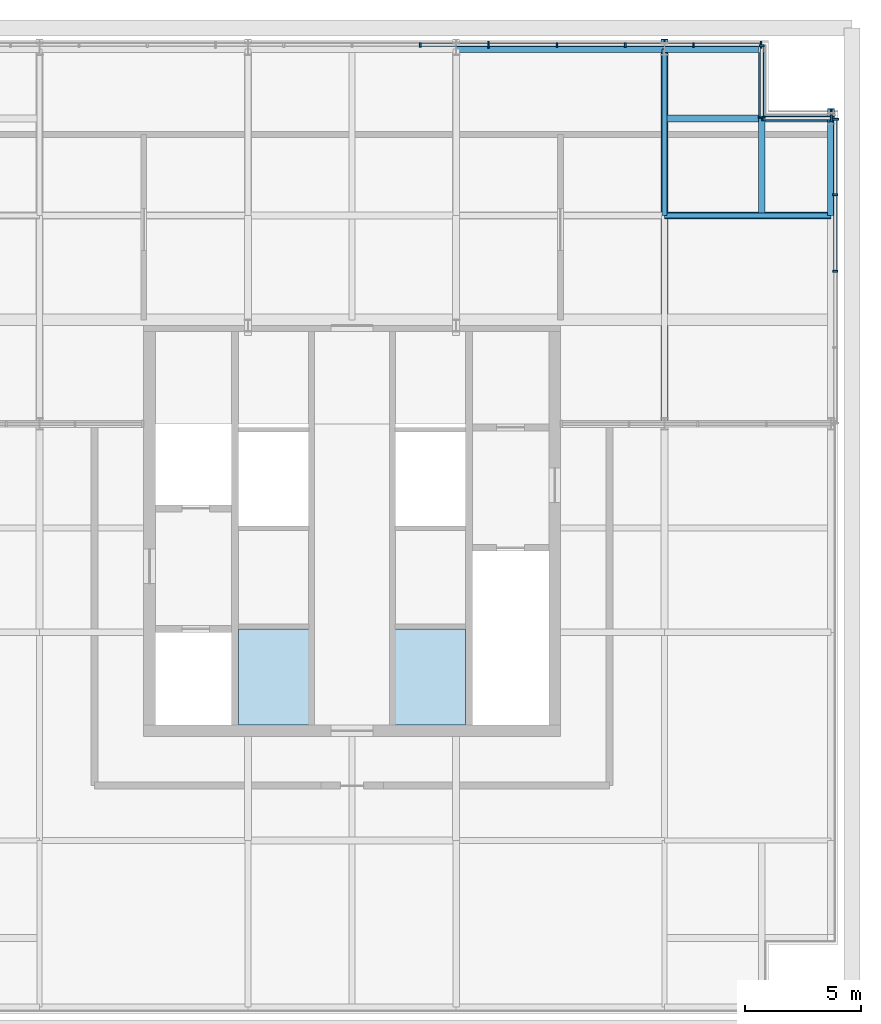
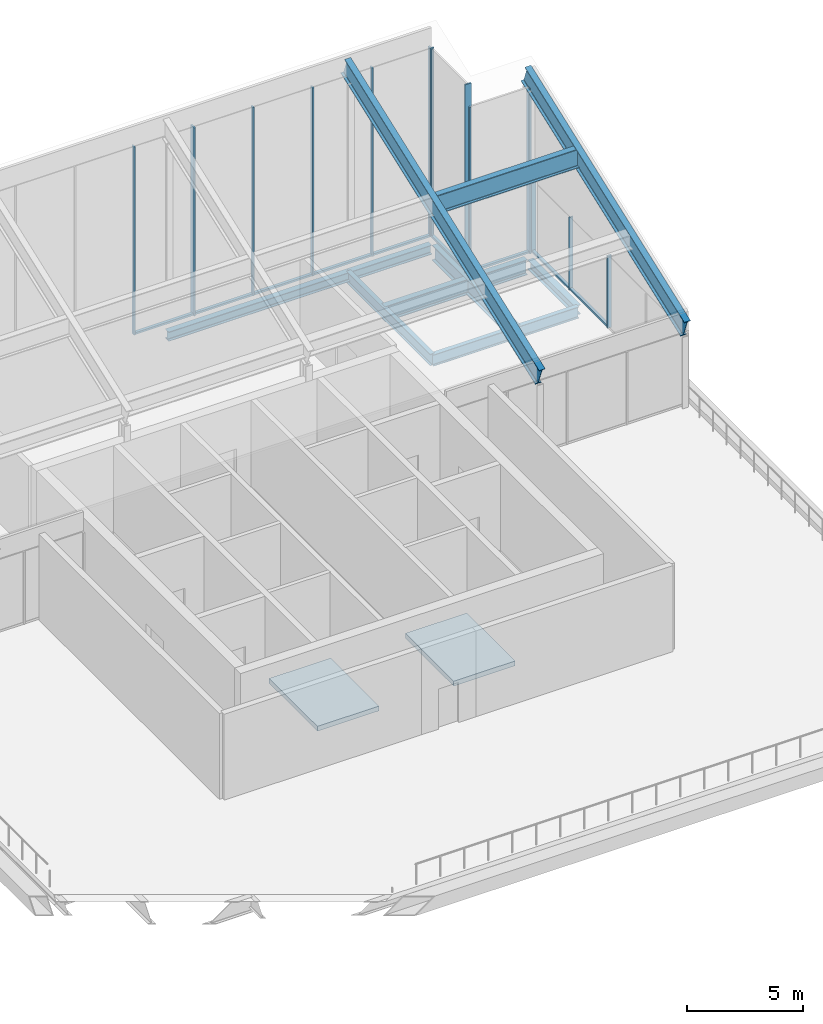
# One storey, part 7 of 10: 25 members, 7 beams, 2 slabs, 4 elements without a shape of their own.
"""IFC4 building model written with IfcOpenShell, lengths in metres."""

from ifc_helpers import new_model, si_unit, direction, frame, origin, origin_2d, place, context, subcontext, project, spatial, polyline, rectangle, i_section, outline, extrude, material, layer, layer_set, material_profile, profile_set, type_object, element, aggregate, save


model = new_model("IFC4")

# Units and contexts
model_context = context("Model", 3, precision=1e-05, world=origin(), true_north=direction((0.0, 1.0)))
body_context = subcontext(model_context, "Body", "Model", "MODEL_VIEW")
ifc_project = project(units=[si_unit("LENGTHUNIT", "METRE"), si_unit("AREAUNIT", "SQUARE_METRE"), si_unit("VOLUMEUNIT", "CUBIC_METRE"), si_unit("PLANEANGLEUNIT", "RADIAN"), si_unit("MASSUNIT", "GRAM", prefix="KILO")], contexts=[model_context])

# Site, building, storey
site_placement = place(None, origin())
site = spatial("IfcSite", under=ifc_project, at=site_placement, CompositionType="ELEMENT")
building_placement = place(site_placement, origin())
building = spatial("IfcBuilding", under=site, at=building_placement, Name="Malebo Sky Hospital", CompositionType="ELEMENT")
storey_placement = place(building_placement, frame((0.0, 0.0, 290.0)))
storey = spatial("IfcBuildingStorey", under=building, at=storey_placement, Name="RF", CompositionType="ELEMENT", Elevation=290.0)

# Curtain wall, members
ifc_material_1 = material(Name="Anodised aluminium, natural silver", Category="aluminium")
ifc_layer_1 = layer(ifc_material_1, 0.25)
ifc_layer_set_1 = layer_set([ifc_layer_1], Name="PENTHOUSE LOUVRE SCREEN")
curtain_wall_type = type_object("IfcCurtainWallType", Name="PENTHOUSE LOUVRE SCREEN", PredefinedType="NOTDEFINED", material=ifc_layer_set_1)
curtain_wall_1_placement = place(storey_placement, origin())
curtain_wall_1 = element("IfcCurtainWall", 1, at=curtain_wall_1_placement, inside=storey, type_object=curtain_wall_type, Name="ROOF curtain wall N", PredefinedType="NOTDEFINED")
ifc_material_profile_1 = material_profile(ifc_material_1, rectangle(XDim=0.14990234375, YDim=0.10009765625, at=origin_2d()), Name="ALUMINIUM TRANSOM 150x100")
ifc_profile_set_1 = profile_set([ifc_material_profile_1], Name="Anodised aluminium, natural silver")
member_type_1 = type_object("IfcMemberType", Name="ALUMINIUM TRANSOM 150x100", PredefinedType="USERDEFINED", material=ifc_profile_set_1)
member_1_placement = place(storey_placement, frame((77.625, 82.875, 0.050048828125), z_axis=(-1.0, 0.0, 0.0), x_axis=(0.0, -1.0, 0.0)))
member_1 = element("IfcMember", 2, at=member_1_placement, type_object=member_type_1, Name="Transom 1", ObjectType="TRANSOM", PredefinedType="USERDEFINED", context=body_context, shape_type="SweptSolid", body=[
    extrude(rectangle(XDim=0.14990234375, YDim=0.10009765625, at=origin_2d()), origin(), (0.0, 0.0, 1.0), 2.83740234375),
])
member_2_placement = place(storey_placement, frame((74.71240234375, 82.875, 0.050048828125), z_axis=(-1.0, 0.0, 0.0), x_axis=(0.0, -1.0, 0.0)))
member_2 = element("IfcMember", 3, at=member_2_placement, type_object=member_type_1, Name="Transom 2", ObjectType="TRANSOM", PredefinedType="USERDEFINED", context=body_context, shape_type="SweptSolid", body=[
    extrude(rectangle(XDim=0.14990234375, YDim=0.10009765625, at=origin_2d()), origin(), (0.0, 0.0, 1.0), 2.875),
])
member_3_placement = place(storey_placement, frame((71.762451171875, 82.875, 0.050048828125), z_axis=(-1.0, 0.0, 0.0), x_axis=(0.0, -1.0, 0.0)))
member_3 = element("IfcMember", 4, at=member_3_placement, type_object=member_type_1, Name="Transom 3", ObjectType="TRANSOM", PredefinedType="USERDEFINED", context=body_context, shape_type="SweptSolid", body=[
    extrude(rectangle(XDim=0.14990234375, YDim=0.10009765625, at=origin_2d()), origin(), (0.0, 0.0, 1.0), 2.875),
])
member_4_placement = place(storey_placement, frame((68.8125, 82.875, 0.050048828125), z_axis=(-1.0, 0.0, 0.0), x_axis=(0.0, -1.0, 0.0)))
member_4 = element("IfcMember", 5, at=member_4_placement, type_object=member_type_1, Name="Transom 4", ObjectType="TRANSOM", PredefinedType="USERDEFINED", context=body_context, shape_type="SweptSolid", body=[
    extrude(rectangle(XDim=0.14990234375, YDim=0.10009765625, at=origin_2d()), origin(), (0.0, 0.0, 1.0), 2.875),
])
member_5_placement = place(storey_placement, frame((65.862548828125, 82.875, 0.050048828125), z_axis=(-1.0, 0.0, 0.0), x_axis=(0.0, -1.0, 0.0)))
member_5 = element("IfcMember", 6, at=member_5_placement, type_object=member_type_1, Name="Transom 5", ObjectType="TRANSOM", PredefinedType="USERDEFINED", context=body_context, shape_type="SweptSolid", body=[
    extrude(rectangle(XDim=0.14990234375, YDim=0.10009765625, at=origin_2d()), origin(), (0.0, 0.0, 1.0), 2.875),
])

curtain_wall_2_placement = place(storey_placement, origin())
curtain_wall_2 = element("IfcCurtainWall", 7, at=curtain_wall_2_placement, inside=storey, type_object=curtain_wall_type, Name="ROOF curtain wall E", PredefinedType="NOTDEFINED")
member_6_placement = place(storey_placement, frame((80.875, 73.137451171875, 0.050048828125), z_axis=(0.0, 1.0, 0.0), x_axis=(-1.0, 0.0, 0.0)))
member_6 = element("IfcMember", 8, at=member_6_placement, type_object=member_type_1, Name="Transom 3", ObjectType="TRANSOM", PredefinedType="USERDEFINED", context=body_context, shape_type="SweptSolid", body=[
    extrude(rectangle(XDim=0.14990234375, YDim=0.10009765625, at=origin_2d()), origin(), (0.0, 0.0, 1.0), 3.22509765625),
])
member_7_placement = place(storey_placement, frame((80.875, 76.4375, 0.050048828125), z_axis=(0.0, 1.0, 0.0), x_axis=(-1.0, 0.0, 0.0)))
member_7 = element("IfcMember", 9, at=member_7_placement, type_object=member_type_1, Name="Transom 4", ObjectType="TRANSOM", PredefinedType="USERDEFINED", context=body_context, shape_type="SweptSolid", body=[
    extrude(rectangle(XDim=0.14990234375, YDim=0.10009765625, at=origin_2d()), origin(), (0.0, 0.0, 1.0), 3.1875),
])

# Curtain wall, member
curtain_wall_3_placement = place(storey_placement, origin())
curtain_wall_3 = element("IfcCurtainWall", 10, at=curtain_wall_3_placement, inside=storey, type_object=curtain_wall_type, Name="ROOF curtain wall NE1", PredefinedType="NOTDEFINED")
member_8_placement = place(storey_placement, frame((80.6630859375, 79.699951171875, 0.050048828125), z_axis=(-1.0, 0.0, 0.0), x_axis=(0.0, -1.0, 0.0)))
member_8 = element("IfcMember", 11, at=member_8_placement, type_object=member_type_1, Name="Transom 1", ObjectType="TRANSOM", PredefinedType="USERDEFINED", context=body_context, shape_type="SweptSolid", body=[
    extrude(rectangle(XDim=0.14990234375, YDim=0.10009765625, at=origin_2d()), origin(), (0.0, 0.0, 1.0), 2.88818359375),
])

curtain_wall_4_placement = place(storey_placement, origin())
curtain_wall_4 = element("IfcCurtainWall", 12, at=curtain_wall_4_placement, inside=storey, type_object=curtain_wall_type, Name="ROOF curtain wall NE2", PredefinedType="NOTDEFINED")
member_9_placement = place(storey_placement, frame((77.699951171875, 79.77490234375, 0.050048828125), z_axis=(0.0, 1.0, 0.0), x_axis=(-1.0, 0.0, 0.0)))
member_9 = element("IfcMember", 13, at=member_9_placement, type_object=member_type_1, Name="Transom 1", ObjectType="TRANSOM", PredefinedType="USERDEFINED", context=body_context, shape_type="SweptSolid", body=[
    extrude(rectangle(XDim=0.14990234375, YDim=0.10009765625, at=origin_2d()), origin(), (0.0, 0.0, 1.0), 3.025146484375),
])

# Members
ifc_material_2 = material(Name="Steel S355", Category="steel")
ifc_material_profile_2 = material_profile(ifc_material_2, i_section(OverallWidth=0.300048828125, OverallDepth=1.0, WebThickness=0.01904296875, FlangeThickness=0.035888671875, FilletRadius=0.030029296875, at=origin_2d()), Name="HEB 1000")
ifc_profile_set_2 = profile_set([ifc_material_profile_2], Name="Steel S355")
member_type_2 = type_object("IfcMemberType", Name="CROWN PURLIN HEB 1000", PredefinedType="PURLIN", material=ifc_profile_set_2)
member_10_placement = place(storey_placement, frame((73.5, 75.5, 7.564453125), z_axis=(1.0, 0.0, 0.0), x_axis=(0.0, 1.0, 0.0)))
element("IfcMember", 14, at=member_10_placement, inside=storey, type_object=member_type_2, Name="Crown purlin +13.5", PredefinedType="PURLIN", context=body_context, shape_type="SweptSolid", body=[
    extrude(i_section(OverallWidth=0.300048828125, OverallDepth=1.0, WebThickness=0.01904296875, FlangeThickness=0.035888671875, FilletRadius=0.030029296875, at=origin_2d()), origin(), (0.0, 0.0, 1.0), 7.199951171875),
])
ifc_material_profile_3 = material_profile(ifc_material_2, i_section(OverallWidth=0.300048828125, OverallDepth=1.0, WebThickness=0.01904296875, FlangeThickness=0.035888671875, FilletRadius=0.030029296875, at=origin_2d()), Name="HEB 1000")
ifc_profile_set_3 = profile_set([ifc_material_profile_3], Name="Steel S355")
member_type_3 = type_object("IfcMemberType", Name="CROWN RAFTER HEB 1000", PredefinedType="RAFTER", material=ifc_profile_set_3)
member_11_placement = place(storey_placement, frame((80.699951171875, 66.25, 4.160888671875), z_axis=(0.0, 0.9377451322, 0.34732415268), x_axis=(-1.0, 0.0, 0.0)))
element("IfcMember", 15, at=member_11_placement, inside=storey, type_object=member_type_3, Name="Crown rafter +20.7", PredefinedType="RAFTER", context=body_context, shape_type="SweptSolid", body=[
    extrude(i_section(OverallWidth=0.300048828125, OverallDepth=1.0, WebThickness=0.01904296875, FlangeThickness=0.035888671875, FilletRadius=0.030029296875, at=origin_2d()), origin(), (0.0, 0.0, 1.0), 14.609375),
])
member_12_placement = place(storey_placement, frame((73.5, 66.25, 4.160888671875), z_axis=(0.0, 0.937746280156, 0.347321053283), x_axis=(-1.0, 0.0, 0.0)))
element("IfcMember", 16, at=member_12_placement, inside=storey, type_object=member_type_3, Name="Crown rafter +13.5", PredefinedType="RAFTER", context=body_context, shape_type="SweptSolid", body=[
    extrude(i_section(OverallWidth=0.300048828125, OverallDepth=1.0, WebThickness=0.01904296875, FlangeThickness=0.035888671875, FilletRadius=0.030029296875, at=origin_2d()), origin(), (0.0, 0.0, 1.0), 17.80859375),
])

# Member
ifc_material_profile_4 = material_profile(ifc_material_1, rectangle(XDim=0.074951171875, YDim=0.199951171875, at=origin_2d()), Name="CW6 ALUMINIUM FIN MULLION 75x200")
ifc_profile_set_4 = profile_set([ifc_material_profile_4], Name="Anodised aluminium, natural silver")
member_type_4 = type_object("IfcMemberType", Name="CW6 ALUMINIUM FIN MULLION 75x200", PredefinedType="MULLION", material=ifc_profile_set_4)
member_13_placement = place(storey_placement, frame((74.75, 82.875, 0.0), z_axis=(0.0, 0.0, 1.0), x_axis=(-1.0, 0.0, 0.0)))
member_13 = element("IfcMember", 17, at=member_13_placement, type_object=member_type_4, Name="Fin mullion 2", PredefinedType="MULLION", context=body_context, shape_type="SweptSolid", body=[
    extrude(rectangle(XDim=0.074951171875, YDim=0.199951171875, at=origin_2d()), origin(), (0.0, 0.0, 1.0), 9.86474609375),
])

member_14_placement = place(storey_placement, frame((71.800048828125, 82.875, 0.0), z_axis=(0.0, 0.0, 1.0), x_axis=(-1.0, 0.0, 0.0)))
member_14 = element("IfcMember", 18, at=member_14_placement, type_object=member_type_4, Name="Fin mullion 3", PredefinedType="MULLION", context=body_context, shape_type="SweptSolid", body=[
    extrude(rectangle(XDim=0.074951171875, YDim=0.199951171875, at=origin_2d()), origin(), (0.0, 0.0, 1.0), 9.86474609375),
])

member_15_placement = place(storey_placement, frame((68.85009765625, 82.875, 0.0), z_axis=(0.0, 0.0, 1.0), x_axis=(-1.0, 0.0, 0.0)))
member_15 = element("IfcMember", 19, at=member_15_placement, type_object=member_type_4, Name="Fin mullion 4", PredefinedType="MULLION", context=body_context, shape_type="SweptSolid", body=[
    extrude(rectangle(XDim=0.074951171875, YDim=0.199951171875, at=origin_2d()), origin(), (0.0, 0.0, 1.0), 9.86474609375),
])

member_16_placement = place(storey_placement, frame((62.949951171875, 82.875, 0.0), z_axis=(0.0, 0.0, 1.0), x_axis=(-1.0, 0.0, 0.0)))
member_16 = element("IfcMember", 20, at=member_16_placement, type_object=member_type_4, Name="Fin mullion 6", PredefinedType="MULLION", context=body_context, shape_type="SweptSolid", body=[
    extrude(rectangle(XDim=0.074951171875, YDim=0.199951171875, at=origin_2d()), origin(), (0.0, 0.0, 1.0), 9.86474609375),
])

member_17_placement = place(storey_placement, frame((80.875, 73.10009765625, 0.0), z_axis=(0.0, 0.0, 1.0), x_axis=(0.0, 1.0, 0.0)))
member_17 = element("IfcMember", 21, at=member_17_placement, type_object=member_type_4, Name="Fin mullion 3", PredefinedType="MULLION", context=body_context, shape_type="SweptSolid", body=[
    extrude(rectangle(XDim=0.074951171875, YDim=0.199951171875, at=origin_2d()), origin(), (0.0, 0.0, 1.0), 3.800048828125),
])

member_18_placement = place(storey_placement, frame((80.875, 76.39990234375, 0.0), z_axis=(0.0, 0.0, 1.0), x_axis=(0.0, 1.0, 0.0)))
member_18 = element("IfcMember", 22, at=member_18_placement, type_object=member_type_4, Name="Fin mullion 4", PredefinedType="MULLION", context=body_context, shape_type="SweptSolid", body=[
    extrude(rectangle(XDim=0.074951171875, YDim=0.199951171875, at=origin_2d()), origin(), (0.0, 0.0, 1.0), 3.800048828125),
])

member_19_placement = place(storey_placement, frame((77.737548828125, 79.699951171875, 0.0), z_axis=(0.0, 0.0, 1.0), x_axis=(-1.0, 0.0, 0.0)))
member_19 = element("IfcMember", 23, at=member_19_placement, type_object=member_type_4, Name="Fin mullion 2", PredefinedType="MULLION", context=body_context, shape_type="SweptSolid", body=[
    extrude(rectangle(XDim=0.074951171875, YDim=0.199951171875, at=origin_2d()), origin(), (0.0, 0.0, 1.0), 8.68896484375),
])

member_20_placement = place(storey_placement, frame((77.699951171875, 82.83740234375, 0.0), z_axis=(0.0, 0.0, 1.0), x_axis=(0.0, 1.0, 0.0)))
member_20 = element("IfcMember", 24, at=member_20_placement, type_object=member_type_4, Name="Fin mullion 2", PredefinedType="MULLION", context=body_context, shape_type="SweptSolid", body=[
    extrude(rectangle(XDim=0.074951171875, YDim=0.199951171875, at=origin_2d()), origin(), (0.0, 0.0, 1.0), 9.86474609375),
])

ifc_material_profile_5 = material_profile(ifc_material_1, rectangle(XDim=0.074951171875, YDim=0.300048828125, at=origin_2d()), Name="CW6 ALUMINIUM FIN MULLION 75x300")
ifc_profile_set_5 = profile_set([ifc_material_profile_5], Name="Anodised aluminium, natural silver")
member_type_5 = type_object("IfcMemberType", Name="CW6 ALUMINIUM FIN MULLION 75x300", PredefinedType="MULLION", material=ifc_profile_set_5)
member_21_placement = place(storey_placement, frame((77.66259765625, 82.875, 0.0), z_axis=(0.0, 0.0, 1.0), x_axis=(-1.0, 0.0, 0.0)))
member_21 = element("IfcMember", 25, at=member_21_placement, type_object=member_type_5, Name="Fin mullion 1", PredefinedType="MULLION", context=body_context, shape_type="SweptSolid", body=[
    extrude(rectangle(XDim=0.074951171875, YDim=0.300048828125, at=origin_2d()), origin(), (0.0, 0.0, 1.0), 9.86474609375),
])

member_22_placement = place(storey_placement, frame((65.89990234375, 82.875, 0.0), z_axis=(0.0, 0.0, 1.0), x_axis=(-1.0, 0.0, 0.0)))
member_22 = element("IfcMember", 26, at=member_22_placement, type_object=member_type_5, Name="Fin mullion 5", PredefinedType="MULLION", context=body_context, shape_type="SweptSolid", body=[
    extrude(rectangle(XDim=0.074951171875, YDim=0.300048828125, at=origin_2d()), origin(), (0.0, 0.0, 1.0), 9.86474609375),
])

aggregate(curtain_wall_1, [member_21, member_13, member_14, member_15, member_22, member_16, member_1, member_2, member_3, member_4, member_5])

member_23_placement = place(storey_placement, frame((80.875, 79.66259765625, 0.0), z_axis=(0.0, 0.0, 1.0), x_axis=(0.0, 1.0, 0.0)))
member_23 = element("IfcMember", 27, at=member_23_placement, type_object=member_type_5, Name="Fin mullion 5", PredefinedType="MULLION", context=body_context, shape_type="SweptSolid", body=[
    extrude(rectangle(XDim=0.074951171875, YDim=0.300048828125, at=origin_2d()), origin(), (0.0, 0.0, 1.0), 3.800048828125),
])

aggregate(curtain_wall_2, [member_17, member_18, member_23, member_6, member_7])

member_24_placement = place(storey_placement, frame((80.700439453125, 79.699951171875, 0.0), z_axis=(0.0, 0.0, 1.0), x_axis=(-1.0, 0.0, 0.0)))
member_24 = element("IfcMember", 28, at=member_24_placement, type_object=member_type_5, Name="Fin mullion 1", PredefinedType="MULLION", context=body_context, shape_type="SweptSolid", body=[
    extrude(rectangle(XDim=0.074951171875, YDim=0.300048828125, at=origin_2d()), origin(), (0.0, 0.0, 1.0), 8.68896484375),
])

aggregate(curtain_wall_3, [member_24, member_19, member_8])

member_25_placement = place(storey_placement, frame((77.699951171875, 79.737548828125, 0.0), z_axis=(0.0, 0.0, 1.0), x_axis=(0.0, 1.0, 0.0)))
member_25 = element("IfcMember", 29, at=member_25_placement, type_object=member_type_5, Name="Fin mullion 1", PredefinedType="MULLION", context=body_context, shape_type="SweptSolid", body=[
    extrude(rectangle(XDim=0.074951171875, YDim=0.300048828125, at=origin_2d()), origin(), (0.0, 0.0, 1.0), 9.86474609375),
])

aggregate(curtain_wall_4, [member_25, member_20, member_9])

# Beams
ifc_material_profile_6 = material_profile(ifc_material_2, i_section(OverallWidth=0.300048828125, OverallDepth=0.489990234375, WebThickness=0.011962890625, FlangeThickness=0.02294921875, FilletRadius=0.027099609375, at=origin_2d()), Name="HEA 500")
ifc_profile_set_6 = profile_set([ifc_material_profile_6], Name="Steel S355")
beam_type_1 = type_object("IfcBeamType", Name="EDGE BEAM HEA 500", PredefinedType="BEAM", material=ifc_profile_set_6)
beam_1_placement = place(storey_placement, frame((80.699951171875, 75.5, -0.4951171875), z_axis=(0.0, 1.0, 0.0), x_axis=(-1.0, 0.0, 0.0)))
element("IfcBeam", 30, at=beam_1_placement, inside=storey, type_object=beam_type_1, Name="Beam 033 RF", PredefinedType="BEAM", context=body_context, shape_type="SweptSolid", body=[
    extrude(i_section(OverallWidth=0.300048828125, OverallDepth=0.489990234375, WebThickness=0.011962890625, FlangeThickness=0.02294921875, FilletRadius=0.027099609375, at=origin_2d()), origin(), (0.0, 0.0, 1.0), 4.050048828125),
])
beam_2_placement = place(storey_placement, frame((64.5, 82.699951171875, -0.4951171875), z_axis=(1.0, 0.0, 0.0), x_axis=(0.0, 1.0, 0.0)))
element("IfcBeam", 31, at=beam_2_placement, inside=storey, type_object=beam_type_1, Name="Beam 066 RF", PredefinedType="BEAM", context=body_context, shape_type="SweptSolid", body=[
    extrude(i_section(OverallWidth=0.300048828125, OverallDepth=0.489990234375, WebThickness=0.011962890625, FlangeThickness=0.02294921875, FilletRadius=0.027099609375, at=origin_2d()), origin(), (0.0, 0.0, 1.0), 9.0),
])
beam_3_placement = place(storey_placement, frame((73.5, 82.699951171875, -0.4951171875), z_axis=(1.0, 0.0, 0.0), x_axis=(0.0, 1.0, 0.0)))
element("IfcBeam", 32, at=beam_3_placement, inside=storey, type_object=beam_type_1, Name="Beam 067 RF", PredefinedType="BEAM", context=body_context, shape_type="SweptSolid", body=[
    extrude(i_section(OverallWidth=0.300048828125, OverallDepth=0.489990234375, WebThickness=0.011962890625, FlangeThickness=0.02294921875, FilletRadius=0.027099609375, at=origin_2d()), origin(), (0.0, 0.0, 1.0), 4.050048828125),
])
ifc_material_profile_7 = material_profile(ifc_material_2, i_section(OverallWidth=0.300048828125, OverallDepth=0.800048828125, WebThickness=0.017578125, FlangeThickness=0.032958984375, FilletRadius=0.030029296875, at=origin_2d()), Name="HEB 800")
ifc_profile_set_7 = profile_set([ifc_material_profile_7], Name="Steel S355")
beam_type_2 = type_object("IfcBeamType", Name="FLOOR BEAM HEB 800", PredefinedType="BEAM", material=ifc_profile_set_7)
for number, where, z_axis, x_axis, name in (
    (33, (77.699951171875, 75.5, -0.64990234375), (0.0, 1.0, 0.0), (-1.0, 0.0, 0.0), "Beam 028 RF"),
    (34, (73.5, 79.699951171875, -0.64990234375), (1.0, 0.0, 0.0), (0.0, 1.0, 0.0), "Beam 062 RF"),
):
    element("IfcBeam", number, at=place(storey_placement, frame(where, z_axis=z_axis, x_axis=x_axis)), inside=storey, type_object=beam_type_2, Name=name, PredefinedType="BEAM", context=body_context, shape_type="SweptSolid", body=[
        extrude(i_section(OverallWidth=0.300048828125, OverallDepth=0.800048828125, WebThickness=0.017578125, FlangeThickness=0.032958984375, FilletRadius=0.030029296875, at=origin_2d()), origin(), (0.0, 0.0, 1.0), 7.050048828125),
    ])
ifc_material_profile_8 = material_profile(ifc_material_2, i_section(OverallWidth=0.219970703125, OverallDepth=0.60009765625, WebThickness=0.011962890625, FlangeThickness=0.01904296875, FilletRadius=0.02392578125, at=origin_2d()), Name="IPE 600")
ifc_profile_set_8 = profile_set([ifc_material_profile_8], Name="Steel S355")
beam_type_3 = type_object("IfcBeamType", Name="FLOOR GIRDER IPE 600", PredefinedType="BEAM", material=ifc_profile_set_8)
for number, where, z_axis, x_axis, name in (
    (35, (73.5, 75.5, -0.550048828125), (0.0, 1.0, 0.0), (-1.0, 0.0, 0.0), "Beam 026 RF"),
    (36, (73.5, 75.5, -0.550048828125), (1.0, 0.0, 0.0), (0.0, 1.0, 0.0), "Beam 060 RF"),
):
    element("IfcBeam", number, at=place(storey_placement, frame(where, z_axis=z_axis, x_axis=x_axis)), inside=storey, type_object=beam_type_3, Name=name, PredefinedType="BEAM", context=body_context, shape_type="SweptSolid", body=[
        extrude(i_section(OverallWidth=0.219970703125, OverallDepth=0.60009765625, WebThickness=0.011962890625, FlangeThickness=0.01904296875, FilletRadius=0.02392578125, at=origin_2d()), origin(), (0.0, 0.0, 1.0), 7.199951171875),
    ])

# Slabs
ifc_material_3 = material(Name="Concrete C40/50", Category="concrete")
ifc_layer_2 = layer(ifc_material_3, 0.25)
ifc_layer_set_2 = layer_set([ifc_layer_2], Name="SHAFT INFILL SLAB 250")
slab_type = type_object("IfcSlabType", Name="SHAFT INFILL SLAB 250", PredefinedType="FLOOR", material=ifc_layer_set_2)
slab_1_placement = place(storey_placement, frame((0.0, 0.0, -0.25)))
element("IfcSlab", 37, at=slab_1_placement, inside=storey, type_object=slab_type, Name="Shaft infill slab W1 RF", PredefinedType="FLOOR", context=body_context, shape_type="SweptSolid", body=[
    extrude(outline(polyline([(55.10009765625, 53.5), (58.14990234375, 53.5), (58.14990234375, 57.64990234375), (55.10009765625, 57.64990234375), (55.10009765625, 53.5)])), origin(), (0.0, 0.0, 1.0), 0.25),
])
slab_2_placement = place(storey_placement, frame((0.0, 0.0, -0.25)))
element("IfcSlab", 38, at=slab_2_placement, inside=storey, type_object=slab_type, Name="Shaft infill slab E1 RF", PredefinedType="FLOOR", context=body_context, shape_type="SweptSolid", body=[
    extrude(outline(polyline([(61.85009765625, 53.5), (64.89990234375, 53.5), (64.89990234375, 57.64990234375), (61.85009765625, 57.64990234375), (61.85009765625, 53.5)])), origin(), (0.0, 0.0, 1.0), 0.25),
])

save(model, "model.ifc")
